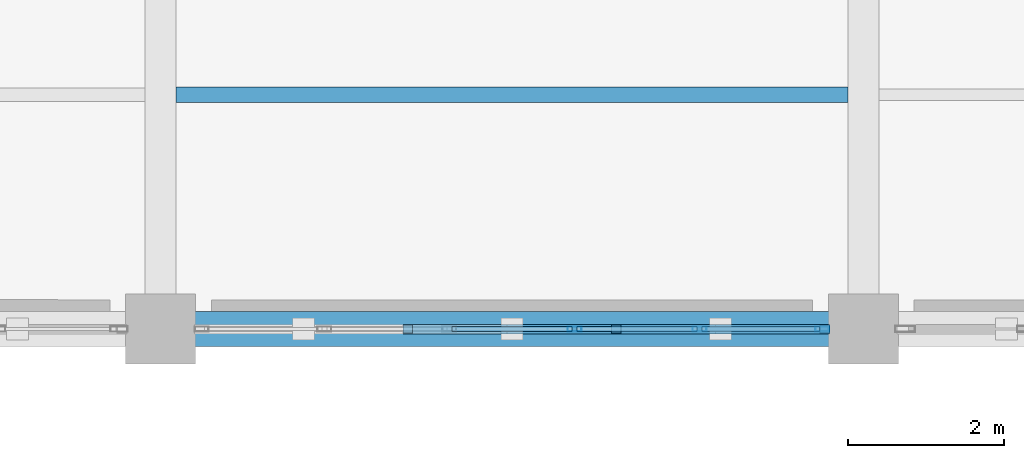
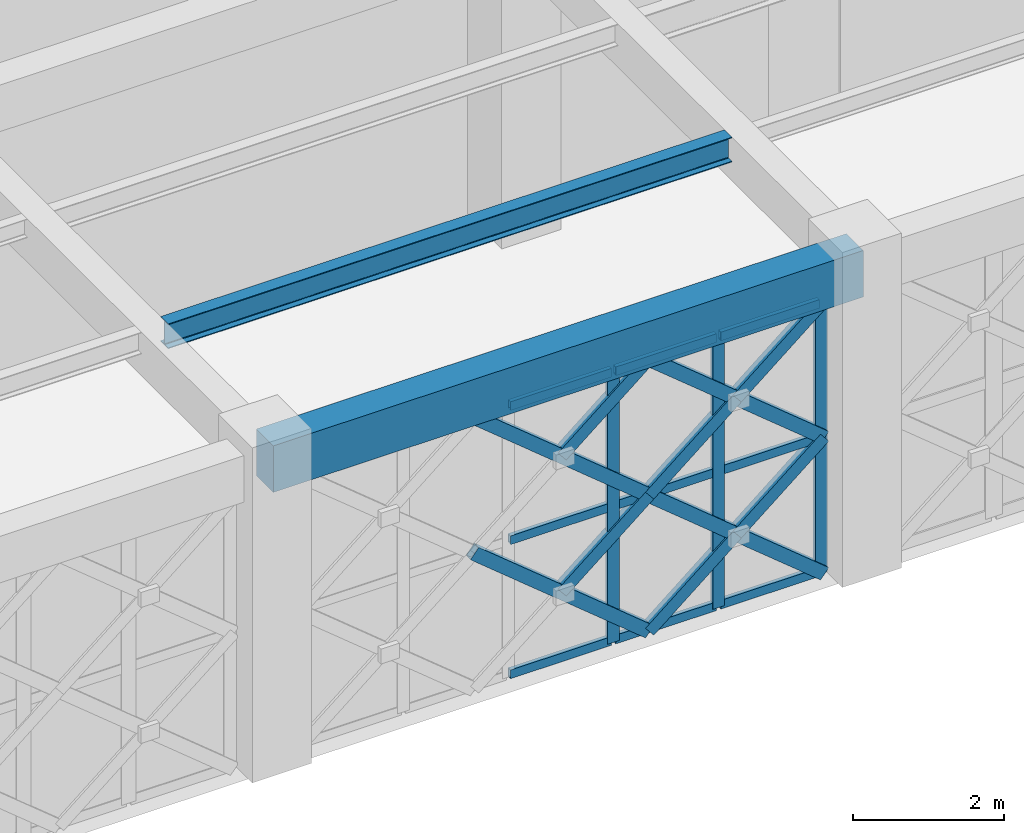
# One storey, part 47 of 166: 22 members, 2 beams, 1 element without a shape of its own.
"""IFC4 building model written with IfcOpenShell, lengths in metres."""

import ifcopenshell
import ifcopenshell.guid

model = None  # the IFC model being written
_history = None  # IfcOwnerHistory: only IFC2X3 demands one
_inside = {}  # id of a spatial element -> (the spatial element, [elements in it])
_under = {}  # id of a project, library or spatial element -> (it, [spatial elements below it])
_declared = {}  # id of a project -> (the project, [libraries it declares])
_typed = {}  # id of a type object -> (the type object, [elements of that type])
_made_of = {}  # id of a material, layer set ... -> (it, [elements and type objects made of it])


def new_model(schema):
    """Start an empty IFC model of exactly this schema.

    Asked for "IFC4X3", IfcOpenShell would pick the latest addendum, in which some entities
    have other attributes; the version numbers below select the first issue.
    IFC2X3 requires an IfcOwnerHistory on every rooted entity: one is made here for all.
    """
    global model, _history
    if schema == "IFC4X3":
        model = ifcopenshell.file(schema_version=(4, 3, 0, 0))
    else:
        model = ifcopenshell.file(schema=schema)
    _inside.clear()
    _under.clear()
    _declared.clear()
    _typed.clear()
    _made_of.clear()
    _history = None
    if model.schema == "IFC2X3":
        org = make("IfcOrganization", Name="unknown")
        user = make(
            "IfcPersonAndOrganization",
            ThePerson=make("IfcPerson", FamilyName="unknown"),
            TheOrganization=org,
        )
        app = make(
            "IfcApplication",
            ApplicationDeveloper=org,
            Version="unknown",
            ApplicationFullName="unknown",
            ApplicationIdentifier="unknown",
        )
        _history = make(
            "IfcOwnerHistory",
            OwningUser=user,
            OwningApplication=app,
            ChangeAction="ADDED",
            CreationDate=0,
        )
    return model


def make(cls, **values):
    """One entity of the class cls with the attributes given. An attribute that is None is left unset."""
    return model.create_entity(
        cls, **{name: value for name, value in values.items() if value is not None}
    )


def rooted(cls, **values):
    """An entity with a GlobalId (a new one), such as an element, a storey or a relation."""
    return make(cls, GlobalId=ifcopenshell.guid.new(), OwnerHistory=_history, **values)


def si_unit(unit_type, name, prefix=None):
    """IfcSIUnit, for example si_unit("LENGTHUNIT", "METRE", prefix="MILLI")."""
    return make("IfcSIUnit", UnitType=unit_type, Prefix=prefix, Name=name)


def assignment(units):
    """IfcUnitAssignment: the units of a project."""
    return None if units is None else make("IfcUnitAssignment", Units=units)


def point(xyz):
    """IfcCartesianPoint."""
    return None if xyz is None else make("IfcCartesianPoint", Coordinates=xyz)


def direction(xyz):
    """IfcDirection."""
    return None if xyz is None else make("IfcDirection", DirectionRatios=xyz)


def frame(location, z_axis=None, x_axis=None):
    """IfcAxis2Placement3D, a coordinate frame: its origin and axes. An axis left out is left unset."""
    return make(
        "IfcAxis2Placement3D",
        Location=point(location),
        Axis=direction(z_axis),
        RefDirection=direction(x_axis),
    )


def frame_2d(location, x_axis=None):
    """IfcAxis2Placement2D, a coordinate frame in the plane: its origin and x axis."""
    return make(
        "IfcAxis2Placement2D", Location=point(location), RefDirection=direction(x_axis)
    )


def origin():
    """The frame at (0, 0, 0) with its axes left unset."""
    return frame((0.0, 0.0, 0.0))


def origin_2d():
    """The frame at (0, 0) in the plane with its x axis left unset."""
    return frame_2d((0.0, 0.0))


def place(relative_to, where):
    """IfcLocalPlacement: puts the frame where relative to a parent placement (None: the world)."""
    return make(
        "IfcLocalPlacement", PlacementRelTo=relative_to, RelativePlacement=where
    )


def context(
    kind, dimensions, precision=None, world=None, true_north=None, identifier=None
):
    """IfcGeometricRepresentationContext, for example the 3D "Model" context."""
    return make(
        "IfcGeometricRepresentationContext",
        ContextIdentifier=identifier,
        ContextType=kind,
        CoordinateSpaceDimension=dimensions,
        Precision=precision,
        WorldCoordinateSystem=world,
        TrueNorth=true_north,
    )


def subcontext(parent, identifier, kind, view, scale=None):
    """IfcGeometricRepresentationSubContext, for example "Body" below "Model"."""
    return make(
        "IfcGeometricRepresentationSubContext",
        ContextIdentifier=identifier,
        ContextType=kind,
        ParentContext=parent,
        TargetScale=scale,
        TargetView=view,
    )


def project(units=None, contexts=None):
    """IfcProject with its units and contexts."""
    return rooted(
        "IfcProject",
        Name="project",
        RepresentationContexts=contexts,
        UnitsInContext=assignment(units),
    )


def spatial(cls, under=None, at=None, **own):
    """A site, building, storey or space (cls), placed at a placement, below another one or the project."""
    s = rooted(cls, ObjectPlacement=at, **own)
    if under is not None:
        _under.setdefault(under.id(), (under, []))[1].append(s)
    return s


def profile(cls, at=None, kind="AREA", **sizes):
    """A parametric profile (cls). Its sizes go by their IFC names, for example OverallWidth=200.0."""
    return make(cls, ProfileType=kind, Position=at, **sizes)


def rectangle(**sizes):
    """IfcRectangleProfileDef."""
    return profile("IfcRectangleProfileDef", **sizes)


def hollow_rectangle(**sizes):
    """IfcRectangleHollowProfileDef."""
    return profile("IfcRectangleHollowProfileDef", **sizes)


def i_section(**sizes):
    """IfcIShapeProfileDef."""
    return profile("IfcIShapeProfileDef", **sizes)


def extrude(swept, where, along, depth):
    """IfcExtrudedAreaSolid: the profile swept, set in the frame where, extruded along a direction by depth."""
    return make(
        "IfcExtrudedAreaSolid",
        SweptArea=swept,
        Position=where,
        ExtrudedDirection=direction(along),
        Depth=depth,
    )


def shape(context_of_items, identifier, shape_type, items):
    """IfcShapeRepresentation: the items that make up one representation, for example the "Body"."""
    return make(
        "IfcShapeRepresentation",
        ContextOfItems=context_of_items,
        RepresentationIdentifier=identifier,
        RepresentationType=shape_type,
        Items=items,
    )


def material(Name=None, Category=None):
    """IfcMaterial."""
    return make("IfcMaterial", Name=Name, Category=Category)


def material_profile(
    of_material, cross_section, Name=None, Category=None, Priority=None
):
    """IfcMaterialProfile: a cross section and its material."""
    return make(
        "IfcMaterialProfile",
        Name=Name,
        Material=of_material,
        Profile=cross_section,
        Priority=Priority,
        Category=Category,
    )


def profile_set(profiles, Name=None, composite=None):
    """IfcMaterialProfileSet."""
    return make(
        "IfcMaterialProfileSet",
        Name=Name,
        MaterialProfiles=profiles,
        CompositeProfile=composite,
    )


def made_of(thing, what):
    """Note that an element or type object is made of a material, layer set ...; save() writes the relation."""
    if what is not None:
        _made_of.setdefault(what.id(), (what, []))[1].append(thing)
    return thing


def type_object(cls, material=None, **own):
    """A type object (cls), such as IfcWallType, which elements share."""
    return made_of(rooted(cls, **own), material)


def element(
    cls,
    number,
    at=None,
    inside=None,
    cuts=None,
    type_object=None,
    material=None,
    context=None,
    identifier="Body",
    shape_type=None,
    held_by="IfcProductDefinitionShape",
    body=None,
    shapes=None,
    **own,
):
    """One element of the class cls, such as IfcWall. Its Tag is "e" and its number.

    at: its placement. inside: the storey or other place that contains it. cuts: it is an
    opening in that element (IfcRelVoidsElement). A single representation is given by context,
    identifier, shape_type and body (its items); several are given by shapes. held_by: the class
    of the entity that holds the representations. save() writes the other relations.
    """
    e = rooted(cls, Tag="e%d" % number, ObjectPlacement=at, **own)
    if body is not None:
        shapes = [shape(context, identifier, shape_type, body)]
    if shapes is not None:
        e.Representation = make(held_by, Representations=shapes)
    if inside is not None:
        _inside.setdefault(inside.id(), (inside, []))[1].append(e)
    if cuts is not None:
        rooted(
            "IfcRelVoidsElement", RelatingBuildingElement=cuts, RelatedOpeningElement=e
        )
    if type_object is not None:
        _typed.setdefault(type_object.id(), (type_object, []))[1].append(e)
    return made_of(e, material)


def aggregate(whole, parts):
    """IfcRelAggregates: a whole, such as a stair, and the parts it consists of."""
    return rooted("IfcRelAggregates", RelatingObject=whole, RelatedObjects=parts)


def save(model, path):
    """Write the relations noted so far, then the file.

    IfcRelAggregates (storeys below a building ...), IfcRelContainedInSpatialStructure (elements
    in a storey), IfcRelDefinesByType, IfcRelAssociatesMaterial and IfcRelDeclares: one each for
    every whole, place, type object, material and project.
    """
    for whole, parts in _under.values():
        aggregate(whole, parts)
    for where, things in _inside.values():
        rooted(
            "IfcRelContainedInSpatialStructure",
            RelatedElements=things,
            RelatingStructure=where,
        )
    for kind, things in _typed.values():
        rooted("IfcRelDefinesByType", RelatedObjects=things, RelatingType=kind)
    for what, things in _made_of.values():
        rooted("IfcRelAssociatesMaterial", RelatedObjects=things, RelatingMaterial=what)
    for by, libraries in _declared.values():
        rooted("IfcRelDeclares", RelatingContext=by, RelatedDefinitions=libraries)
    model.write(path)


model = new_model("IFC4")

# Units and contexts
model_context = context("Model", 3, precision=1e-05, world=origin(), true_north=direction((0.0, 1.0)))
body_context = subcontext(model_context, "Body", "Model", "MODEL_VIEW")
ifc_project = project(units=[si_unit("LENGTHUNIT", "METRE"), si_unit("AREAUNIT", "SQUARE_METRE"), si_unit("VOLUMEUNIT", "CUBIC_METRE"), si_unit("PLANEANGLEUNIT", "RADIAN"), si_unit("MASSUNIT", "GRAM", prefix="KILO")], contexts=[model_context])

# Site, building, storey
site_placement = place(None, origin())
site = spatial("IfcSite", under=ifc_project, at=site_placement, CompositionType="ELEMENT")
building_placement = place(site_placement, origin())
building = spatial("IfcBuilding", under=site, at=building_placement, Name="Haizhuo Lancet Aquarium", CompositionType="ELEMENT")
storey_placement = place(building_placement, frame((0.0, 0.0, 5.39990234375)))
storey = spatial("IfcBuildingStorey", under=building, at=storey_placement, Name="L01", CompositionType="ELEMENT", Elevation=5.39990234375)

# Beam
ifc_material_1 = material(Name="Concrete C40/50", Category="concrete")
ifc_material_profile_1 = material_profile(ifc_material_1, rectangle(XDim=0.449951171875, YDim=0.75, at=origin_2d()), Name="RC-BM 450x750")
ifc_profile_set_1 = profile_set([ifc_material_profile_1], Name="Concrete C40/50")
beam_type_1 = type_object("IfcBeamType", Name="BM-RC-450x750", PredefinedType="BEAM", material=ifc_profile_set_1)
beam_1_placement = place(storey_placement, frame((36.0, -36.0, 4.76513671875), z_axis=(1.0, 0.0, 0.0), x_axis=(0.0, 1.0, 0.0)))
element("IfcBeam", 1, at=beam_1_placement, inside=storey, type_object=beam_type_1, Name="L01 V3 primary girder BM-L01-V3-008", PredefinedType="BEAM", context=body_context, shape_type="SweptSolid", body=[
    extrude(rectangle(XDim=0.449951171875, YDim=0.75, at=origin_2d()), origin(), (0.0, 0.0, 1.0), 9.0),
])

# Curtain wall, members
ifc_material_2 = material(Name="Aluminium 6063-T6", Category="aluminium")
curtain_wall_type = type_object("IfcCurtainWallType", Name="CWO-8010x4390", PredefinedType="NOTDEFINED", material=ifc_material_2)
curtain_wall_placement = place(storey_placement, origin())
curtain_wall = element("IfcCurtainWall", 2, at=curtain_wall_placement, inside=storey, type_object=curtain_wall_type, Name="L01 curtain wall CW-V3-L01-046", PredefinedType="NOTDEFINED")
ifc_material_profile_2 = material_profile(ifc_material_2, hollow_rectangle(XDim=0.06494140625, YDim=0.179931640625, WallThickness=0.00390625, at=origin_2d()), Name="ALU-M 65x180x4")
ifc_profile_set_2 = profile_set([ifc_material_profile_2], Name="Aluminium 6063-T6")
member_type_1 = type_object("IfcMemberType", Name="CW-MUL-1", PredefinedType="MULLION", material=ifc_profile_set_2)
member_1_placement = place(storey_placement, frame((44.472900390625, -36.0, 0.0), z_axis=(0.0, 0.0, 1.0), x_axis=(0.0, -1.0, 0.0)))
member_1 = element("IfcMember", 3, at=member_1_placement, type_object=member_type_1, Name="CWO-80x43 mullion 1", PredefinedType="MULLION", context=body_context, shape_type="SweptSolid", body=[
    extrude(hollow_rectangle(XDim=0.06494140625, YDim=0.179931640625, WallThickness=0.00390625, at=origin_2d()), origin(), (0.0, 0.0, 1.0), 4.39013671875),
])
member_2_placement = place(storey_placement, frame((42.903076171875, -36.0, 0.0), z_axis=(0.0, 0.0, 1.0), x_axis=(0.0, -1.0, 0.0)))
member_2 = element("IfcMember", 4, at=member_2_placement, type_object=member_type_1, Name="CWO-80x43 mullion 2", PredefinedType="MULLION", context=body_context, shape_type="SweptSolid", body=[
    extrude(hollow_rectangle(XDim=0.06494140625, YDim=0.179931640625, WallThickness=0.00390625, at=origin_2d()), origin(), (0.0, 0.0, 1.0), 4.39013671875),
])
member_3_placement = place(storey_placement, frame((41.301025390625, -36.0, 0.0), z_axis=(0.0, 0.0, 1.0), x_axis=(0.0, -1.0, 0.0)))
member_3 = element("IfcMember", 5, at=member_3_placement, type_object=member_type_1, Name="CWO-80x43 mullion 3", PredefinedType="MULLION", context=body_context, shape_type="SweptSolid", body=[
    extrude(hollow_rectangle(XDim=0.06494140625, YDim=0.179931640625, WallThickness=0.00390625, at=origin_2d()), origin(), (0.0, 0.0, 1.0), 4.39013671875),
])
ifc_material_profile_3 = material_profile(ifc_material_2, hollow_rectangle(XDim=0.06494140625, YDim=0.139892578125, WallThickness=0.00390625, at=origin_2d()), Name="ALU-T 65x140x4")
ifc_profile_set_3 = profile_set([ifc_material_profile_3], Name="Aluminium 6063-T6")
member_type_2 = type_object("IfcMemberType", Name="CW-TRN-1", PredefinedType="NOTDEFINED", material=ifc_profile_set_3)
member_4_placement = place(storey_placement, frame((44.43994140625, -36.0, 0.033203125), z_axis=(-1.0, 0.0, 0.0), x_axis=(0.0, -1.0, 0.0)))
member_4 = element("IfcMember", 6, at=member_4_placement, type_object=member_type_2, Name="CWO-80x43 transom 1.1", ObjectType="TRANSOM", PredefinedType="USERDEFINED", context=body_context, shape_type="SweptSolid", body=[
    extrude(hollow_rectangle(XDim=0.06494140625, YDim=0.139892578125, WallThickness=0.00390625, at=origin_2d()), origin(), (0.0, 0.0, 1.0), 1.50390625),
])
member_5_placement = place(storey_placement, frame((44.43994140625, -36.0, 2.195068359375), z_axis=(-1.0, 0.0, 0.0), x_axis=(0.0, -1.0, 0.0)))
member_5 = element("IfcMember", 7, at=member_5_placement, type_object=member_type_2, Name="CWO-80x43 transom 1.2", ObjectType="TRANSOM", PredefinedType="USERDEFINED", context=body_context, shape_type="SweptSolid", body=[
    extrude(hollow_rectangle(XDim=0.06494140625, YDim=0.139892578125, WallThickness=0.00390625, at=origin_2d()), origin(), (0.0, 0.0, 1.0), 1.50390625),
])
member_6_placement = place(storey_placement, frame((44.43994140625, -36.0, 4.357177734375), z_axis=(-1.0, 0.0, 0.0), x_axis=(0.0, -1.0, 0.0)))
member_6 = element("IfcMember", 8, at=member_6_placement, type_object=member_type_2, Name="CWO-80x43 transom 1.3", ObjectType="TRANSOM", PredefinedType="USERDEFINED", context=body_context, shape_type="SweptSolid", body=[
    extrude(hollow_rectangle(XDim=0.06494140625, YDim=0.139892578125, WallThickness=0.00390625, at=origin_2d()), origin(), (0.0, 0.0, 1.0), 1.50390625),
])
member_7_placement = place(storey_placement, frame((42.8701171875, -36.0, 0.033203125), z_axis=(-1.0, 0.0, 0.0), x_axis=(0.0, -1.0, 0.0)))
member_7 = element("IfcMember", 9, at=member_7_placement, type_object=member_type_2, Name="CWO-80x43 transom 2.1", ObjectType="TRANSOM", PredefinedType="USERDEFINED", context=body_context, shape_type="SweptSolid", body=[
    extrude(hollow_rectangle(XDim=0.06494140625, YDim=0.139892578125, WallThickness=0.00390625, at=origin_2d()), origin(), (0.0, 0.0, 1.0), 1.5361328125),
])
member_8_placement = place(storey_placement, frame((42.8701171875, -36.0, 2.195068359375), z_axis=(-1.0, 0.0, 0.0), x_axis=(0.0, -1.0, 0.0)))
member_8 = element("IfcMember", 10, at=member_8_placement, type_object=member_type_2, Name="CWO-80x43 transom 2.2", ObjectType="TRANSOM", PredefinedType="USERDEFINED", context=body_context, shape_type="SweptSolid", body=[
    extrude(hollow_rectangle(XDim=0.06494140625, YDim=0.139892578125, WallThickness=0.00390625, at=origin_2d()), origin(), (0.0, 0.0, 1.0), 1.5361328125),
])
member_9_placement = place(storey_placement, frame((42.8701171875, -36.0, 4.357177734375), z_axis=(-1.0, 0.0, 0.0), x_axis=(0.0, -1.0, 0.0)))
member_9 = element("IfcMember", 11, at=member_9_placement, type_object=member_type_2, Name="CWO-80x43 transom 2.3", ObjectType="TRANSOM", PredefinedType="USERDEFINED", context=body_context, shape_type="SweptSolid", body=[
    extrude(hollow_rectangle(XDim=0.06494140625, YDim=0.139892578125, WallThickness=0.00390625, at=origin_2d()), origin(), (0.0, 0.0, 1.0), 1.5361328125),
])
member_10_placement = place(storey_placement, frame((41.26904296875, -36.0, 0.033203125), z_axis=(-1.0, 0.0, 0.0), x_axis=(0.0, -1.0, 0.0)))
member_10 = element("IfcMember", 12, at=member_10_placement, type_object=member_type_2, Name="CWO-80x43 transom 3.1", ObjectType="TRANSOM", PredefinedType="USERDEFINED", context=body_context, shape_type="SweptSolid", body=[
    extrude(hollow_rectangle(XDim=0.06494140625, YDim=0.139892578125, WallThickness=0.00390625, at=origin_2d()), origin(), (0.0, 0.0, 1.0), 1.5380859375),
])
member_11_placement = place(storey_placement, frame((41.26904296875, -36.0, 2.195068359375), z_axis=(-1.0, 0.0, 0.0), x_axis=(0.0, -1.0, 0.0)))
member_11 = element("IfcMember", 13, at=member_11_placement, type_object=member_type_2, Name="CWO-80x43 transom 3.2", ObjectType="TRANSOM", PredefinedType="USERDEFINED", context=body_context, shape_type="SweptSolid", body=[
    extrude(hollow_rectangle(XDim=0.06494140625, YDim=0.139892578125, WallThickness=0.00390625, at=origin_2d()), origin(), (0.0, 0.0, 1.0), 1.5380859375),
])
member_12_placement = place(storey_placement, frame((41.26904296875, -36.0, 4.357177734375), z_axis=(-1.0, 0.0, 0.0), x_axis=(0.0, -1.0, 0.0)))
member_12 = element("IfcMember", 14, at=member_12_placement, type_object=member_type_2, Name="CWO-80x43 transom 3.3", ObjectType="TRANSOM", PredefinedType="USERDEFINED", context=body_context, shape_type="SweptSolid", body=[
    extrude(hollow_rectangle(XDim=0.06494140625, YDim=0.139892578125, WallThickness=0.00390625, at=origin_2d()), origin(), (0.0, 0.0, 1.0), 1.5380859375),
])
aggregate(curtain_wall, [member_1, member_2, member_3, member_4, member_5, member_6, member_7, member_8, member_9, member_10, member_11, member_12])

# Beam
ifc_material_3 = material(Name="Steel S355", Category="steel")
ifc_material_profile_4 = material_profile(ifc_material_3, i_section(OverallWidth=0.199951171875, OverallDepth=0.39990234375, WebThickness=0.008056640625, FlangeThickness=0.012939453125, FilletRadius=0.01611328125, at=origin_2d()), Name="HN 400x200x8x13")
ifc_profile_set_4 = profile_set([ifc_material_profile_4], Name="Steel S355")
beam_type_2 = type_object("IfcBeamType", Name="JST-ST-HN400", PredefinedType="JOIST", material=ifc_profile_set_4)
beam_2_placement = place(storey_placement, frame((36.199951171875, -33.0, 4.940185546875), z_axis=(1.0, 0.0, 0.0), x_axis=(0.0, 1.0, 0.0)))
element("IfcBeam", 15, at=beam_2_placement, inside=storey, type_object=beam_type_2, Name="L01 V3 secondary floor joist 5", PredefinedType="JOIST", context=body_context, shape_type="SweptSolid", body=[
    extrude(i_section(OverallWidth=0.199951171875, OverallDepth=0.39990234375, WebThickness=0.008056640625, FlangeThickness=0.012939453125, FilletRadius=0.01611328125, at=origin_2d()), origin(), (0.0, 0.0, 1.0), 8.60009765625),
])

# Members
ifc_material_profile_5 = material_profile(ifc_material_3, hollow_rectangle(XDim=0.1201171875, YDim=0.199951171875, WallThickness=0.008056640625, at=origin_2d()), Name="RHS 120x200x8")
ifc_profile_set_5 = profile_set([ifc_material_profile_5], Name="Steel S355")
member_type_3 = type_object("IfcMemberType", Name="MEM-LB-RHS120x200", PredefinedType="BRACE", material=ifc_profile_set_5)
member_13_placement = place(storey_placement, frame((44.5048828125, -36.0, 0.0), z_axis=(-0.772453976084, 0.0, 0.635070747895), x_axis=(0.0, -1.0, 0.0)))
element("IfcMember", 16, at=member_13_placement, inside=storey, type_object=member_type_3, Name="Gothic lancet continuous diagonal brace CW-V3-L01-046 1A", PredefinedType="BRACE", context=body_context, shape_type="SweptSolid", body=[
    extrude(hollow_rectangle(XDim=0.1201171875, YDim=0.199951171875, WallThickness=0.008056640625, at=origin_2d()), origin(), (0.0, 0.0, 1.0), 3.456298828125),
])
member_14_placement = place(storey_placement, frame((41.8349609375, -36.0, 0.0), z_axis=(0.772280733977, 0.0, 0.635281408454), x_axis=(0.0, 1.0, 0.0)))
element("IfcMember", 17, at=member_14_placement, inside=storey, type_object=member_type_3, Name="Gothic lancet split diagonal brace CW-V3-L01-046 1B1", PredefinedType="BRACE", context=body_context, shape_type="SweptSolid", body=[
    extrude(hollow_rectangle(XDim=0.1201171875, YDim=0.199951171875, WallThickness=0.008056640625, at=origin_2d()), origin(), (0.0, 0.0, 1.0), 1.728515625),
])
member_15_placement = place(storey_placement, frame((43.169921875, -36.0, 1.09814453125), z_axis=(0.772627238419, 0.0, 0.634859945541), x_axis=(0.0, 1.0, 0.0)))
element("IfcMember", 18, at=member_15_placement, inside=storey, type_object=member_type_3, Name="Gothic lancet split diagonal brace CW-V3-L01-046 1B2", PredefinedType="BRACE", context=body_context, shape_type="SweptSolid", body=[
    extrude(hollow_rectangle(XDim=0.1201171875, YDim=0.199951171875, WallThickness=0.008056640625, at=origin_2d()), origin(), (0.0, 0.0, 1.0), 1.727783203125),
])
member_16_placement = place(storey_placement, frame((44.5048828125, -36.0, 2.195068359375), z_axis=(-0.772453976084, 0.0, 0.635070747895), x_axis=(0.0, -1.0, 0.0)))
element("IfcMember", 19, at=member_16_placement, inside=storey, type_object=member_type_3, Name="Gothic lancet continuous diagonal brace CW-V3-L01-046 2A", PredefinedType="BRACE", context=body_context, shape_type="SweptSolid", body=[
    extrude(hollow_rectangle(XDim=0.1201171875, YDim=0.199951171875, WallThickness=0.008056640625, at=origin_2d()), origin(), (0.0, 0.0, 1.0), 3.456298828125),
])
member_17_placement = place(storey_placement, frame((41.8349609375, -36.0, 2.195068359375), z_axis=(0.772627238419, 0.0, 0.634859945541), x_axis=(0.0, 1.0, 0.0)))
element("IfcMember", 20, at=member_17_placement, inside=storey, type_object=member_type_3, Name="Gothic lancet split diagonal brace CW-V3-L01-046 2B1", PredefinedType="BRACE", context=body_context, shape_type="SweptSolid", body=[
    extrude(hollow_rectangle(XDim=0.1201171875, YDim=0.199951171875, WallThickness=0.008056640625, at=origin_2d()), origin(), (0.0, 0.0, 1.0), 1.727783203125),
])
member_18_placement = place(storey_placement, frame((43.169921875, -36.0, 3.2919921875), z_axis=(0.772280733977, 0.0, 0.635281408454), x_axis=(0.0, 1.0, 0.0)))
element("IfcMember", 21, at=member_18_placement, inside=storey, type_object=member_type_3, Name="Gothic lancet split diagonal brace CW-V3-L01-046 2B2", PredefinedType="BRACE", context=body_context, shape_type="SweptSolid", body=[
    extrude(hollow_rectangle(XDim=0.1201171875, YDim=0.199951171875, WallThickness=0.008056640625, at=origin_2d()), origin(), (0.0, 0.0, 1.0), 1.728515625),
])
member_19_placement = place(storey_placement, frame((41.8349609375, -36.0, 0.0), z_axis=(-0.772453976084, 0.0, 0.635070747895), x_axis=(0.0, -1.0, 0.0)))
element("IfcMember", 22, at=member_19_placement, inside=storey, type_object=member_type_3, Name="Gothic lancet continuous diagonal brace CW-V3-L01-046 3A", PredefinedType="BRACE", context=body_context, shape_type="SweptSolid", body=[
    extrude(hollow_rectangle(XDim=0.1201171875, YDim=0.199951171875, WallThickness=0.008056640625, at=origin_2d()), origin(), (0.0, 0.0, 1.0), 3.456298828125),
])
member_20_placement = place(storey_placement, frame((40.5, -36.0, 1.09814453125), z_axis=(0.772627238419, 0.0, 0.634859945541), x_axis=(0.0, 1.0, 0.0)))
element("IfcMember", 23, at=member_20_placement, inside=storey, type_object=member_type_3, Name="Gothic lancet split diagonal brace CW-V3-L01-046 3B2", PredefinedType="BRACE", context=body_context, shape_type="SweptSolid", body=[
    extrude(hollow_rectangle(XDim=0.1201171875, YDim=0.199951171875, WallThickness=0.008056640625, at=origin_2d()), origin(), (0.0, 0.0, 1.0), 1.727783203125),
])
member_21_placement = place(storey_placement, frame((41.8349609375, -36.0, 2.195068359375), z_axis=(-0.772453976084, 0.0, 0.635070747895), x_axis=(0.0, -1.0, 0.0)))
element("IfcMember", 24, at=member_21_placement, inside=storey, type_object=member_type_3, Name="Gothic lancet continuous diagonal brace CW-V3-L01-046 4A", PredefinedType="BRACE", context=body_context, shape_type="SweptSolid", body=[
    extrude(hollow_rectangle(XDim=0.1201171875, YDim=0.199951171875, WallThickness=0.008056640625, at=origin_2d()), origin(), (0.0, 0.0, 1.0), 3.456298828125),
])
member_22_placement = place(storey_placement, frame((40.5, -36.0, 3.2919921875), z_axis=(0.772280733977, 0.0, 0.635281408454), x_axis=(0.0, 1.0, 0.0)))
element("IfcMember", 25, at=member_22_placement, inside=storey, type_object=member_type_3, Name="Gothic lancet split diagonal brace CW-V3-L01-046 4B2", PredefinedType="BRACE", context=body_context, shape_type="SweptSolid", body=[
    extrude(hollow_rectangle(XDim=0.1201171875, YDim=0.199951171875, WallThickness=0.008056640625, at=origin_2d()), origin(), (0.0, 0.0, 1.0), 1.728515625),
])

save(model, "model.ifc")
